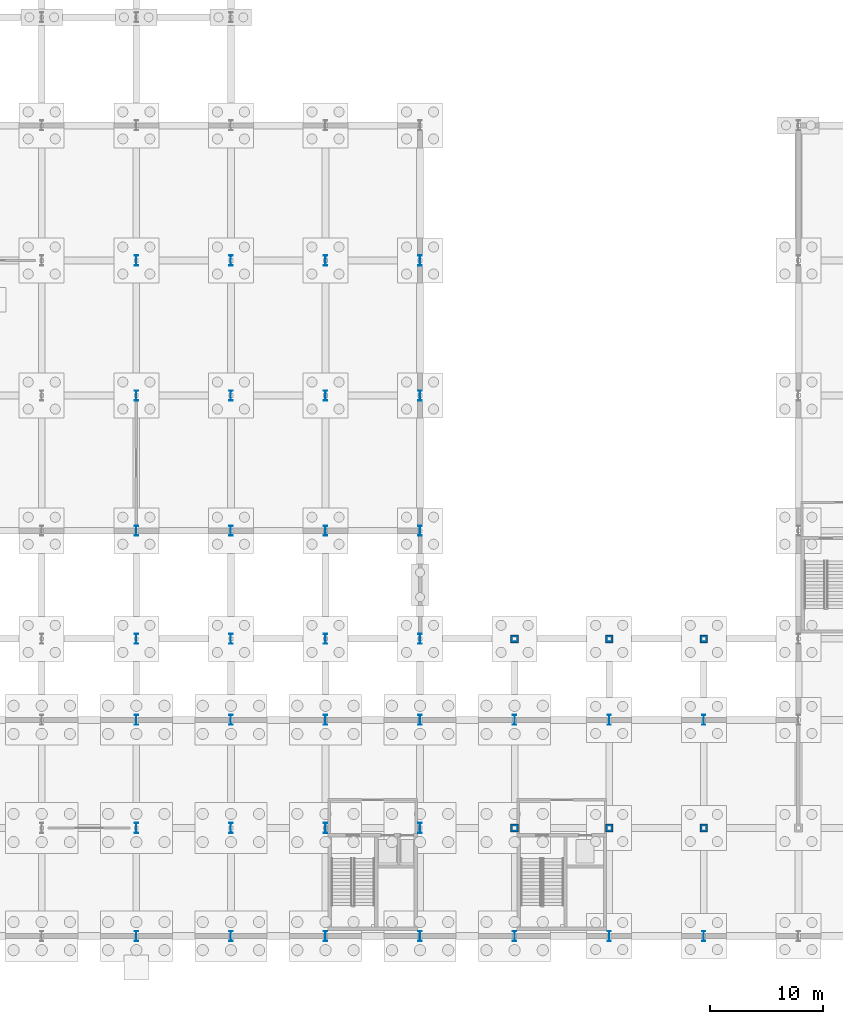
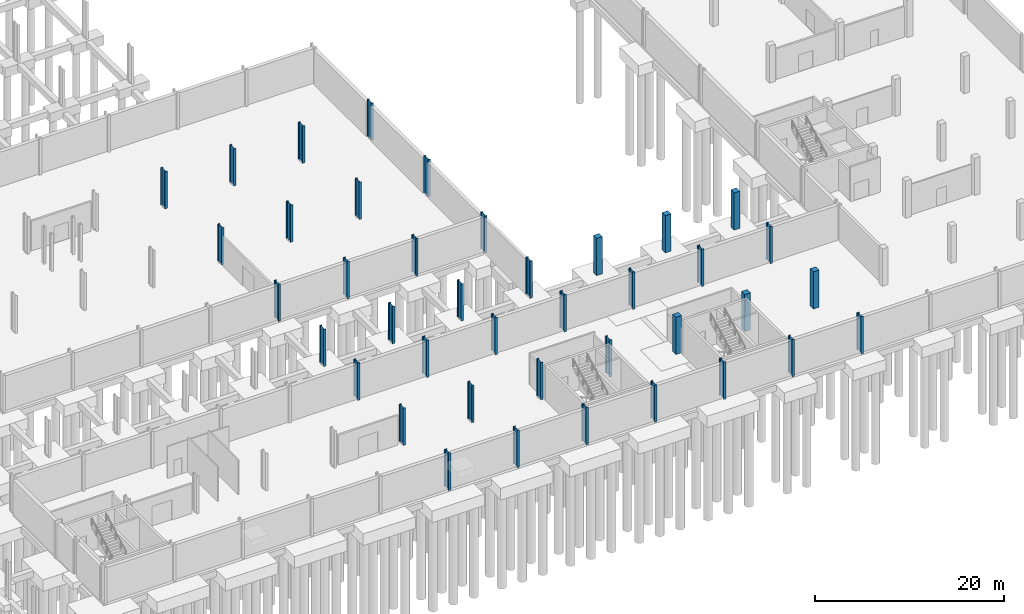
# One storey, part 11 of 29: 40 columns.
"""IFC4 building model written with IfcOpenShell, lengths in metres."""

import ifcopenshell
import ifcopenshell.guid

model = None  # the IFC model being written
_history = None  # IfcOwnerHistory: only IFC2X3 demands one
_inside = {}  # id of a spatial element -> (the spatial element, [elements in it])
_under = {}  # id of a project, library or spatial element -> (it, [spatial elements below it])
_declared = {}  # id of a project -> (the project, [libraries it declares])
_typed = {}  # id of a type object -> (the type object, [elements of that type])
_made_of = {}  # id of a material, layer set ... -> (it, [elements and type objects made of it])


def new_model(schema):
    """Start an empty IFC model of exactly this schema.

    Asked for "IFC4X3", IfcOpenShell would pick the latest addendum, in which some entities
    have other attributes; the version numbers below select the first issue.
    IFC2X3 requires an IfcOwnerHistory on every rooted entity: one is made here for all.
    """
    global model, _history
    if schema == "IFC4X3":
        model = ifcopenshell.file(schema_version=(4, 3, 0, 0))
    else:
        model = ifcopenshell.file(schema=schema)
    _inside.clear()
    _under.clear()
    _declared.clear()
    _typed.clear()
    _made_of.clear()
    _history = None
    if model.schema == "IFC2X3":
        org = make("IfcOrganization", Name="unknown")
        user = make(
            "IfcPersonAndOrganization",
            ThePerson=make("IfcPerson", FamilyName="unknown"),
            TheOrganization=org,
        )
        app = make(
            "IfcApplication",
            ApplicationDeveloper=org,
            Version="unknown",
            ApplicationFullName="unknown",
            ApplicationIdentifier="unknown",
        )
        _history = make(
            "IfcOwnerHistory",
            OwningUser=user,
            OwningApplication=app,
            ChangeAction="ADDED",
            CreationDate=0,
        )
    return model


def make(cls, **values):
    """One entity of the class cls with the attributes given. An attribute that is None is left unset."""
    return model.create_entity(
        cls, **{name: value for name, value in values.items() if value is not None}
    )


def rooted(cls, **values):
    """An entity with a GlobalId (a new one), such as an element, a storey or a relation."""
    return make(cls, GlobalId=ifcopenshell.guid.new(), OwnerHistory=_history, **values)


def si_unit(unit_type, name, prefix=None):
    """IfcSIUnit, for example si_unit("LENGTHUNIT", "METRE", prefix="MILLI")."""
    return make("IfcSIUnit", UnitType=unit_type, Prefix=prefix, Name=name)


def assignment(units):
    """IfcUnitAssignment: the units of a project."""
    return None if units is None else make("IfcUnitAssignment", Units=units)


def point(xyz):
    """IfcCartesianPoint."""
    return None if xyz is None else make("IfcCartesianPoint", Coordinates=xyz)


def direction(xyz):
    """IfcDirection."""
    return None if xyz is None else make("IfcDirection", DirectionRatios=xyz)


def frame(location, z_axis=None, x_axis=None):
    """IfcAxis2Placement3D, a coordinate frame: its origin and axes. An axis left out is left unset."""
    return make(
        "IfcAxis2Placement3D",
        Location=point(location),
        Axis=direction(z_axis),
        RefDirection=direction(x_axis),
    )


def frame_2d(location, x_axis=None):
    """IfcAxis2Placement2D, a coordinate frame in the plane: its origin and x axis."""
    return make(
        "IfcAxis2Placement2D", Location=point(location), RefDirection=direction(x_axis)
    )


def origin():
    """The frame at (0, 0, 0) with its axes left unset."""
    return frame((0.0, 0.0, 0.0))


def origin_2d():
    """The frame at (0, 0) in the plane with its x axis left unset."""
    return frame_2d((0.0, 0.0))


def place(relative_to, where):
    """IfcLocalPlacement: puts the frame where relative to a parent placement (None: the world)."""
    return make(
        "IfcLocalPlacement", PlacementRelTo=relative_to, RelativePlacement=where
    )


def context(
    kind, dimensions, precision=None, world=None, true_north=None, identifier=None
):
    """IfcGeometricRepresentationContext, for example the 3D "Model" context."""
    return make(
        "IfcGeometricRepresentationContext",
        ContextIdentifier=identifier,
        ContextType=kind,
        CoordinateSpaceDimension=dimensions,
        Precision=precision,
        WorldCoordinateSystem=world,
        TrueNorth=true_north,
    )


def subcontext(parent, identifier, kind, view, scale=None):
    """IfcGeometricRepresentationSubContext, for example "Body" below "Model"."""
    return make(
        "IfcGeometricRepresentationSubContext",
        ContextIdentifier=identifier,
        ContextType=kind,
        ParentContext=parent,
        TargetScale=scale,
        TargetView=view,
    )


def project(units=None, contexts=None):
    """IfcProject with its units and contexts."""
    return rooted(
        "IfcProject",
        Name="project",
        RepresentationContexts=contexts,
        UnitsInContext=assignment(units),
    )


def spatial(cls, under=None, at=None, **own):
    """A site, building, storey or space (cls), placed at a placement, below another one or the project."""
    s = rooted(cls, ObjectPlacement=at, **own)
    if under is not None:
        _under.setdefault(under.id(), (under, []))[1].append(s)
    return s


def profile(cls, at=None, kind="AREA", **sizes):
    """A parametric profile (cls). Its sizes go by their IFC names, for example OverallWidth=200.0."""
    return make(cls, ProfileType=kind, Position=at, **sizes)


def rectangle(**sizes):
    """IfcRectangleProfileDef."""
    return profile("IfcRectangleProfileDef", **sizes)


def i_section(**sizes):
    """IfcIShapeProfileDef."""
    return profile("IfcIShapeProfileDef", **sizes)


def extrude(swept, where, along, depth):
    """IfcExtrudedAreaSolid: the profile swept, set in the frame where, extruded along a direction by depth."""
    return make(
        "IfcExtrudedAreaSolid",
        SweptArea=swept,
        Position=where,
        ExtrudedDirection=direction(along),
        Depth=depth,
    )


def shape(context_of_items, identifier, shape_type, items):
    """IfcShapeRepresentation: the items that make up one representation, for example the "Body"."""
    return make(
        "IfcShapeRepresentation",
        ContextOfItems=context_of_items,
        RepresentationIdentifier=identifier,
        RepresentationType=shape_type,
        Items=items,
    )


def material(Name=None, Category=None):
    """IfcMaterial."""
    return make("IfcMaterial", Name=Name, Category=Category)


def material_profile(
    of_material, cross_section, Name=None, Category=None, Priority=None
):
    """IfcMaterialProfile: a cross section and its material."""
    return make(
        "IfcMaterialProfile",
        Name=Name,
        Material=of_material,
        Profile=cross_section,
        Priority=Priority,
        Category=Category,
    )


def profile_set(profiles, Name=None, composite=None):
    """IfcMaterialProfileSet."""
    return make(
        "IfcMaterialProfileSet",
        Name=Name,
        MaterialProfiles=profiles,
        CompositeProfile=composite,
    )


def made_of(thing, what):
    """Note that an element or type object is made of a material, layer set ...; save() writes the relation."""
    if what is not None:
        _made_of.setdefault(what.id(), (what, []))[1].append(thing)
    return thing


def type_object(cls, material=None, **own):
    """A type object (cls), such as IfcWallType, which elements share."""
    return made_of(rooted(cls, **own), material)


def element(
    cls,
    number,
    at=None,
    inside=None,
    cuts=None,
    type_object=None,
    material=None,
    context=None,
    identifier="Body",
    shape_type=None,
    held_by="IfcProductDefinitionShape",
    body=None,
    shapes=None,
    **own,
):
    """One element of the class cls, such as IfcWall. Its Tag is "e" and its number.

    at: its placement. inside: the storey or other place that contains it. cuts: it is an
    opening in that element (IfcRelVoidsElement). A single representation is given by context,
    identifier, shape_type and body (its items); several are given by shapes. held_by: the class
    of the entity that holds the representations. save() writes the other relations.
    """
    e = rooted(cls, Tag="e%d" % number, ObjectPlacement=at, **own)
    if body is not None:
        shapes = [shape(context, identifier, shape_type, body)]
    if shapes is not None:
        e.Representation = make(held_by, Representations=shapes)
    if inside is not None:
        _inside.setdefault(inside.id(), (inside, []))[1].append(e)
    if cuts is not None:
        rooted(
            "IfcRelVoidsElement", RelatingBuildingElement=cuts, RelatedOpeningElement=e
        )
    if type_object is not None:
        _typed.setdefault(type_object.id(), (type_object, []))[1].append(e)
    return made_of(e, material)


def aggregate(whole, parts):
    """IfcRelAggregates: a whole, such as a stair, and the parts it consists of."""
    return rooted("IfcRelAggregates", RelatingObject=whole, RelatedObjects=parts)


def save(model, path):
    """Write the relations noted so far, then the file.

    IfcRelAggregates (storeys below a building ...), IfcRelContainedInSpatialStructure (elements
    in a storey), IfcRelDefinesByType, IfcRelAssociatesMaterial and IfcRelDeclares: one each for
    every whole, place, type object, material and project.
    """
    for whole, parts in _under.values():
        aggregate(whole, parts)
    for where, things in _inside.values():
        rooted(
            "IfcRelContainedInSpatialStructure",
            RelatedElements=things,
            RelatingStructure=where,
        )
    for kind, things in _typed.values():
        rooted("IfcRelDefinesByType", RelatedObjects=things, RelatingType=kind)
    for what, things in _made_of.values():
        rooted("IfcRelAssociatesMaterial", RelatedObjects=things, RelatingMaterial=what)
    for by, libraries in _declared.values():
        rooted("IfcRelDeclares", RelatingContext=by, RelatedDefinitions=libraries)
    model.write(path)


model = new_model("IFC4")

# Units and contexts
model_context = context("Model", 3, precision=1e-05, world=origin(), true_north=direction((0.0, 1.0)))
body_context = subcontext(model_context, "Body", "Model", "MODEL_VIEW")
ifc_project = project(units=[si_unit("LENGTHUNIT", "METRE"), si_unit("AREAUNIT", "SQUARE_METRE"), si_unit("VOLUMEUNIT", "CUBIC_METRE"), si_unit("PLANEANGLEUNIT", "RADIAN"), si_unit("MASSUNIT", "GRAM", prefix="KILO")], contexts=[model_context])

# Site, building, storey
site_placement = place(None, origin())
site = spatial("IfcSite", under=ifc_project, at=site_placement, CompositionType="ELEMENT")
building_placement = place(site_placement, origin())
building = spatial("IfcBuilding", under=site, at=building_placement, Name="Veltarok Museum of Natural Sciences", CompositionType="ELEMENT")
storey_placement = place(building_placement, frame((0.0, 0.0, -4.800048828125)))
storey = spatial("IfcBuildingStorey", under=building, at=storey_placement, Name="B1", CompositionType="ELEMENT", Elevation=-4.800048828125)

# Columns
ifc_material_1 = material(Name="Concrete C40/50", Category="concrete")
ifc_material_profile_1 = material_profile(ifc_material_1, rectangle(XDim=0.699951171875, YDim=0.699951171875, at=origin_2d()), Name="RC 700x700")
ifc_profile_set_1 = profile_set([ifc_material_profile_1], Name="Concrete C40/50")
column_type_1 = type_object("IfcColumnType", Name="Basement Archive Column RC 700x700", PredefinedType="COLUMN", material=ifc_profile_set_1)
for number, where, z_axis, x_axis, name in (
    (1, (107.199951171875, 9.60009765625, 0.0), (0.0, 0.0, 1.0), (0.0, 1.0, 0.0), "Column COL-RC01 B1 13/B"),
    (2, (107.199951171875, 26.39990234375, 0.0), (0.0, 0.0, 1.0), (0.0, 1.0, 0.0), "Column COL-RC01 B1 13/D"),
    (3, (115.60009765625, 9.60009765625, 0.0), (0.0, 0.0, 1.0), (1.0, 0.0, 0.0), "Column COL-RC01 B1 14/B"),
    (4, (115.60009765625, 26.39990234375, 0.0), (0.0, 0.0, 1.0), (1.0, 0.0, 0.0), "Column COL-RC01 B1 14/D"),
    (5, (124.0, 9.60009765625, 0.0), (0.0, 0.0, 1.0), (1.0, 0.0, 0.0), "Column COL-RC01 B1 15/B"),
    (6, (124.0, 26.39990234375, 0.0), (0.0, 0.0, 1.0), (1.0, 0.0, 0.0), "Column COL-RC01 B1 15/D"),
):
    element("IfcColumn", number, at=place(storey_placement, frame(where, z_axis=z_axis, x_axis=x_axis)), inside=storey, type_object=column_type_1, Name=name, PredefinedType="COLUMN", context=body_context, shape_type="SweptSolid", body=[
        extrude(rectangle(XDim=0.699951171875, YDim=0.699951171875, at=origin_2d()), origin(), (0.0, 0.0, 1.0), 4.800048828125),
    ])
ifc_material_2 = material(Name="Steel S355J2", Category="steel")
ifc_material_profile_2 = material_profile(ifc_material_2, i_section(OverallWidth=0.300048828125, OverallDepth=0.89990234375, WebThickness=0.0185546875, FlangeThickness=0.034912109375, FilletRadius=0.030029296875, at=origin_2d()), Name="HEB 900")
ifc_profile_set_2 = profile_set([ifc_material_profile_2], Name="Steel S355J2")
column_type_2 = type_object("IfcColumnType", Name="Heavy Hall Column HEB 900", PredefinedType="COLUMN", material=ifc_profile_set_2)
for number, where, z_axis, x_axis, name in (
    (7, (73.60009765625, 0.0, 0.0), (0.0, 0.0, 1.0), (1.0, 0.0, 0.0), "Column COL-S01 B1 9/A"),
    (8, (73.60009765625, 9.60009765625, 0.0), (0.0, 0.0, 1.0), (1.0, 0.0, 0.0), "Column COL-S01 B1 9/B"),
    (9, (73.60009765625, 19.199951171875, 0.0), (0.0, 0.0, 1.0), (1.0, 0.0, 0.0), "Column COL-S01 B1 9/C"),
    (10, (73.60009765625, 26.39990234375, 0.0), (0.0, 0.0, 1.0), (1.0, 0.0, 0.0), "Column COL-S01 B1 9/D"),
    (11, (73.60009765625, 36.0, 0.0), (0.0, 0.0, 1.0), (1.0, 0.0, 0.0), "Column COL-S01 B1 9/E"),
    (12, (73.60009765625, 48.0, 0.0), (0.0, 0.0, 1.0), (1.0, 0.0, 0.0), "Column COL-S01 B1 9/F"),
    (13, (73.60009765625, 60.0, 0.0), (0.0, 0.0, 1.0), (1.0, 0.0, 0.0), "Column COL-S01 B1 9/G"),
    (14, (82.0, 0.0, 0.0), (0.0, 0.0, 1.0), (1.0, 0.0, 0.0), "Column COL-S01 B1 10/A"),
    (15, (82.0, 9.60009765625, 0.0), (0.0, 0.0, 1.0), (1.0, 0.0, 0.0), "Column COL-S01 B1 10/B"),
    (16, (82.0, 19.199951171875, 0.0), (0.0, 0.0, 1.0), (1.0, 0.0, 0.0), "Column COL-S01 B1 10/C"),
    (17, (82.0, 26.39990234375, 0.0), (0.0, 0.0, 1.0), (1.0, 0.0, 0.0), "Column COL-S01 B1 10/D"),
    (18, (82.0, 36.0, 0.0), (0.0, 0.0, 1.0), (1.0, 0.0, 0.0), "Column COL-S01 B1 10/E"),
    (19, (82.0, 48.0, 0.0), (0.0, 0.0, 1.0), (1.0, 0.0, 0.0), "Column COL-S01 B1 10/F"),
    (20, (82.0, 60.0, 0.0), (0.0, 0.0, 1.0), (1.0, 0.0, 0.0), "Column COL-S01 B1 10/G"),
    (21, (90.39990234375, 0.0, 0.0), (0.0, 0.0, 1.0), (1.0, 0.0, 0.0), "Column COL-S01 B1 11/A"),
    (22, (90.39990234375, 9.60009765625, 0.0), (0.0, 0.0, 1.0), (1.0, 0.0, 0.0), "Column COL-S01 B1 11/B"),
    (23, (90.39990234375, 19.199951171875, 0.0), (0.0, 0.0, 1.0), (1.0, 0.0, 0.0), "Column COL-S01 B1 11/C"),
    (24, (90.39990234375, 26.39990234375, 0.0), (0.0, 0.0, 1.0), (1.0, 0.0, 0.0), "Column COL-S01 B1 11/D"),
    (25, (90.39990234375, 36.0, 0.0), (0.0, 0.0, 1.0), (1.0, 0.0, 0.0), "Column COL-S01 B1 11/E"),
    (26, (90.39990234375, 48.0, 0.0), (0.0, 0.0, 1.0), (1.0, 0.0, 0.0), "Column COL-S01 B1 11/F"),
    (27, (90.39990234375, 60.0, 0.0), (0.0, 0.0, 1.0), (1.0, 0.0, 0.0), "Column COL-S01 B1 11/G"),
    (28, (98.800048828125, 0.0, 0.0), (0.0, 0.0, 1.0), (1.0, 0.0, 0.0), "Column COL-S01 B1 12/A"),
    (29, (98.800048828125, 9.60009765625, 0.0), (0.0, 0.0, 1.0), (1.0, 0.0, 0.0), "Column COL-S01 B1 12/B"),
    (30, (98.800048828125, 19.199951171875, 0.0), (0.0, 0.0, 1.0), (1.0, 0.0, 0.0), "Column COL-S01 B1 12/C"),
    (31, (98.800048828125, 26.39990234375, 0.0), (0.0, 0.0, 1.0), (1.0, 0.0, 0.0), "Column COL-S01 B1 12/D"),
    (32, (98.800048828125, 36.0, 0.0), (0.0, 0.0, 1.0), (1.0, 0.0, 0.0), "Column COL-S01 B1 12/E"),
    (33, (98.800048828125, 48.0, 0.0), (0.0, 0.0, 1.0), (1.0, 0.0, 0.0), "Column COL-S01 B1 12/F"),
    (34, (98.800048828125, 60.0, 0.0), (0.0, 0.0, 1.0), (1.0, 0.0, 0.0), "Column COL-S01 B1 12/G"),
    (35, (107.199951171875, 0.0, 0.0), (0.0, 0.0, 1.0), (1.0, 0.0, 0.0), "Column COL-S01 B1 13/A"),
    (36, (107.199951171875, 19.199951171875, 0.0), (0.0, 0.0, 1.0), (1.0, 0.0, 0.0), "Column COL-S01 B1 13/C"),
    (37, (115.60009765625, 0.0, 0.0), (0.0, 0.0, 1.0), (1.0, 0.0, 0.0), "Column COL-S01 B1 14/A"),
    (38, (115.60009765625, 19.199951171875, 0.0), (0.0, 0.0, 1.0), (1.0, 0.0, 0.0), "Column COL-S01 B1 14/C"),
    (39, (124.0, 0.0, 0.0), (0.0, 0.0, 1.0), (1.0, 0.0, 0.0), "Column COL-S01 B1 15/A"),
    (40, (124.0, 19.199951171875, 0.0), (0.0, 0.0, 1.0), (1.0, 0.0, 0.0), "Column COL-S01 B1 15/C"),
):
    element("IfcColumn", number, at=place(storey_placement, frame(where, z_axis=z_axis, x_axis=x_axis)), inside=storey, type_object=column_type_2, Name=name, PredefinedType="COLUMN", context=body_context, shape_type="SweptSolid", body=[
        extrude(i_section(OverallWidth=0.300048828125, OverallDepth=0.89990234375, WebThickness=0.0185546875, FlangeThickness=0.034912109375, FilletRadius=0.030029296875, at=origin_2d()), origin(), (0.0, 0.0, 1.0), 4.800048828125),
    ])

save(model, "model.ifc")
